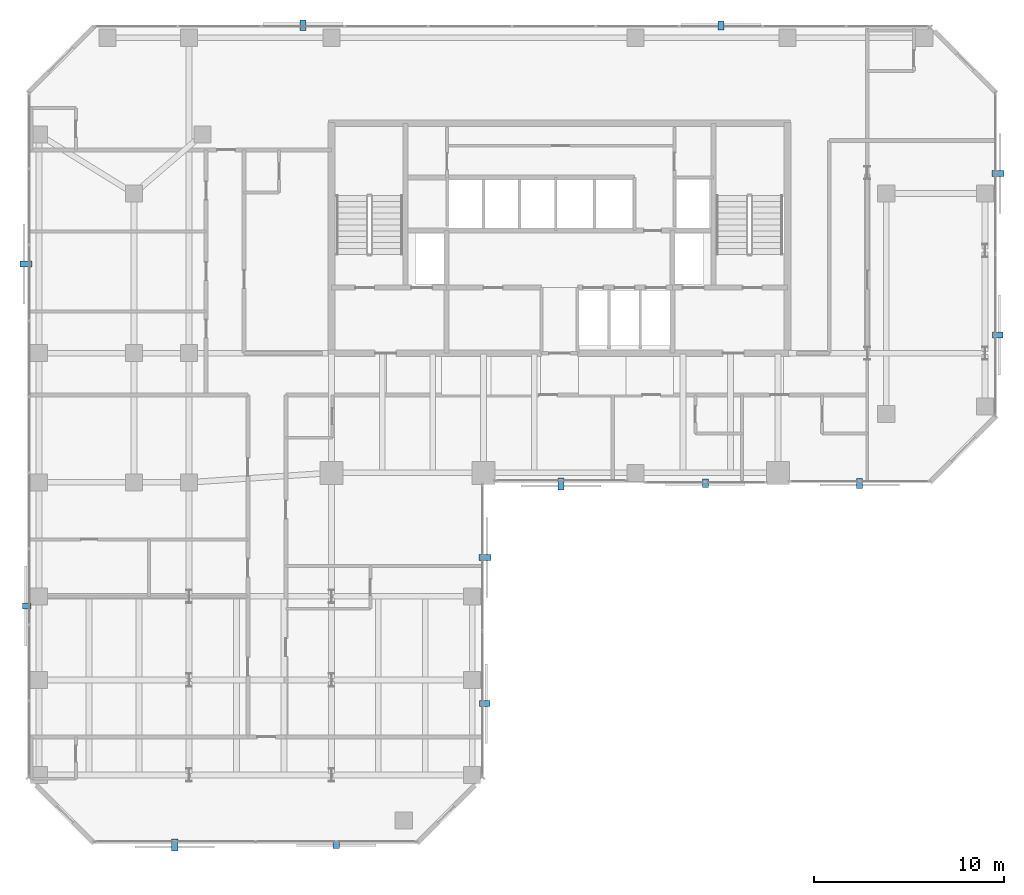
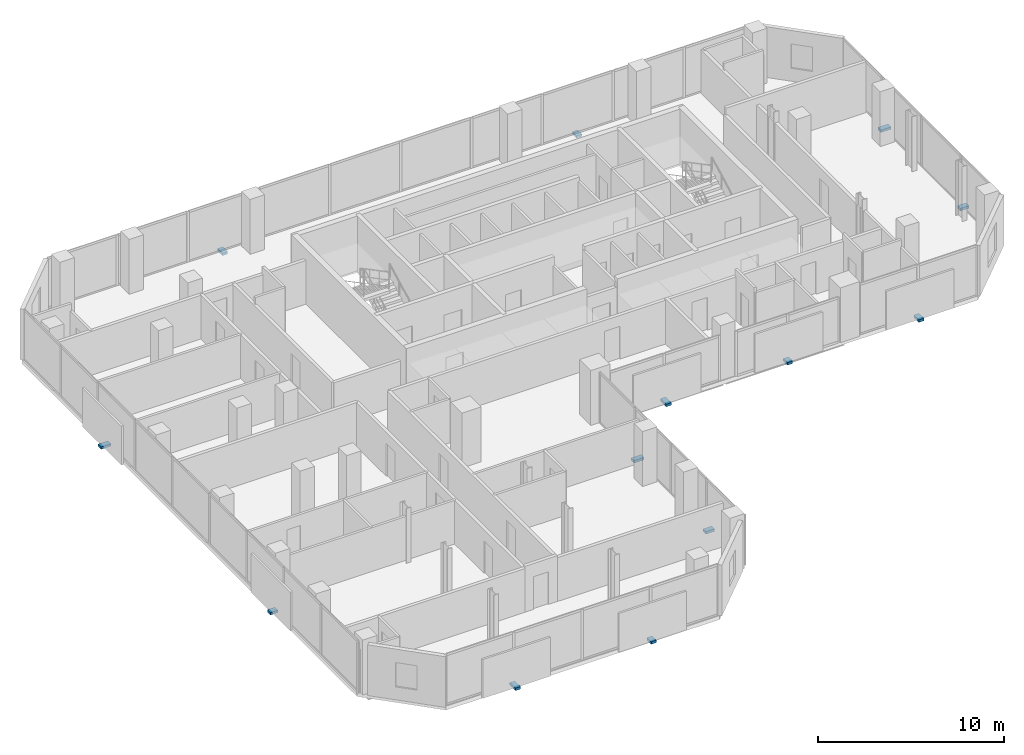
# One storey, part 32 of 34: 13 discrete accessories.
"""IFC4 building model written with IfcOpenShell, lengths in metres."""

from ifc_helpers import new_model, si_unit, direction, frame, origin, origin_2d, place, context, subcontext, project, spatial, rectangle, extrude, material, type_object, element, save


model = new_model("IFC4")

# Units and contexts
model_context = context("Model", 3, precision=1e-05, world=origin(), true_north=direction((0.0, 1.0)))
body_context = subcontext(model_context, "Body", "Model", "MODEL_VIEW")
ifc_project = project(units=[si_unit("LENGTHUNIT", "METRE"), si_unit("AREAUNIT", "SQUARE_METRE"), si_unit("VOLUMEUNIT", "CUBIC_METRE"), si_unit("PLANEANGLEUNIT", "RADIAN"), si_unit("MASSUNIT", "GRAM", prefix="KILO")], contexts=[model_context])

# Site, building, storey
site_placement = place(None, origin())
site = spatial("IfcSite", under=ifc_project, at=site_placement, CompositionType="ELEMENT")
building_placement = place(site_placement, origin())
building = spatial("IfcBuilding", under=site, at=building_placement, Name="Catumbela Crestline Tower", CompositionType="ELEMENT")
storey_placement = place(building_placement, frame((0.0, 0.0, 111.6)))
storey = spatial("IfcBuildingStorey", under=building, at=storey_placement, Name="L28", CompositionType="ELEMENT", Elevation=111.6)

# Discrete accessories
ifc_material = material(Name="Stainless steel EN 1.4401", Category="steel")
discrete_accessory_type = type_object("IfcDiscreteAccessoryType", Name="BK-SS1", PredefinedType="BRACKET", material=ifc_material)
discrete_accessory_1_placement = place(storey_placement, frame((7.75, 4.915, -0.18), z_axis=(0.0, 0.0, 1.0), x_axis=(1.0, 0.0, 0.0)))
element("IfcDiscreteAccessory", 1, at=discrete_accessory_1_placement, inside=storey, type_object=discrete_accessory_type, Name="L28 Solar Screen Stainless Bracket 289", PredefinedType="BRACKET", context=body_context, shape_type="SweptSolid", body=[
    extrude(rectangle(XDim=0.32, YDim=0.62, at=origin_2d()), origin(), (0.0, 0.0, 1.0), 0.16),
])
discrete_accessory_2_placement = place(storey_placement, frame((16.25, 4.955, -0.18), z_axis=(0.0, 0.0, 1.0), x_axis=(1.0, 0.0, 0.0)))
element("IfcDiscreteAccessory", 2, at=discrete_accessory_2_placement, inside=storey, type_object=discrete_accessory_type, Name="L28 Solar Screen Stainless Bracket 290", PredefinedType="BRACKET", context=body_context, shape_type="SweptSolid", body=[
    extrude(rectangle(XDim=0.32, YDim=0.46, at=origin_2d()), origin(), (0.0, 0.0, 1.0), 0.16),
])
discrete_accessory_3_placement = place(storey_placement, frame((24.065, 12.35, -0.18), z_axis=(0.0, 0.0, 1.0), x_axis=(0.0, 1.0, 0.0)))
element("IfcDiscreteAccessory", 3, at=discrete_accessory_3_placement, inside=storey, type_object=discrete_accessory_type, Name="L28 Solar Screen Stainless Bracket 291", PredefinedType="BRACKET", context=body_context, shape_type="SweptSolid", body=[
    extrude(rectangle(XDim=0.32, YDim=0.54, at=origin_2d()), origin(), (0.0, 0.0, 1.0), 0.16),
])
for number, where, z_axis, x_axis, name in (
    (4, (24.085, 20.05, -0.18), (0.0, 0.0, 1.0), (0.0, 1.0, 0.0), "L28 Solar Screen Stainless Bracket 292"),
    (5, (28.075, 23.915, -0.18), (0.0, 0.0, 1.0), (1.0, 0.0, 0.0), "L28 Solar Screen Stainless Bracket 293"),
):
    element("IfcDiscreteAccessory", number, at=place(storey_placement, frame(where, z_axis=z_axis, x_axis=x_axis)), inside=storey, type_object=discrete_accessory_type, Name=name, PredefinedType="BRACKET", context=body_context, shape_type="SweptSolid", body=[
        extrude(rectangle(XDim=0.32, YDim=0.62, at=origin_2d()), origin(), (0.0, 0.0, 1.0), 0.16),
    ])
discrete_accessory_4_placement = place(storey_placement, frame((35.675, 23.955, -0.18), z_axis=(0.0, 0.0, 1.0), x_axis=(1.0, 0.0, 0.0)))
element("IfcDiscreteAccessory", 6, at=discrete_accessory_4_placement, inside=storey, type_object=discrete_accessory_type, Name="L28 Solar Screen Stainless Bracket 294", PredefinedType="BRACKET", context=body_context, shape_type="SweptSolid", body=[
    extrude(rectangle(XDim=0.32, YDim=0.46, at=origin_2d()), origin(), (0.0, 0.0, 1.0), 0.16),
])
for number, where, z_axis, x_axis, name in (
    (7, (43.8, 23.935, -0.18), (0.0, 0.0, 1.0), (1.0, 0.0, 0.0), "L28 Solar Screen Stainless Bracket 295"),
    (8, (51.065, 31.75, -0.18), (0.0, 0.0, 1.0), (0.0, 1.0, 0.0), "L28 Solar Screen Stainless Bracket 296"),
):
    element("IfcDiscreteAccessory", number, at=place(storey_placement, frame(where, z_axis=z_axis, x_axis=x_axis)), inside=storey, type_object=discrete_accessory_type, Name=name, PredefinedType="BRACKET", context=body_context, shape_type="SweptSolid", body=[
        extrude(rectangle(XDim=0.32, YDim=0.54, at=origin_2d()), origin(), (0.0, 0.0, 1.0), 0.16),
    ])
discrete_accessory_5_placement = place(storey_placement, frame((51.085, 40.25, -0.18), z_axis=(0.0, 0.0, 1.0), x_axis=(0.0, 1.0, 0.0)))
element("IfcDiscreteAccessory", 9, at=discrete_accessory_5_placement, inside=storey, type_object=discrete_accessory_type, Name="L28 Solar Screen Stainless Bracket 297", PredefinedType="BRACKET", context=body_context, shape_type="SweptSolid", body=[
    extrude(rectangle(XDim=0.32, YDim=0.62, at=origin_2d()), origin(), (0.0, 0.0, 1.0), 0.16),
])
discrete_accessory_6_placement = place(storey_placement, frame((36.5, 48.045, -0.18), z_axis=(0.0, 0.0, 1.0), x_axis=(-1.0, 0.0, 0.0)))
element("IfcDiscreteAccessory", 10, at=discrete_accessory_6_placement, inside=storey, type_object=discrete_accessory_type, Name="L28 Solar Screen Stainless Bracket 298", PredefinedType="BRACKET", context=body_context, shape_type="SweptSolid", body=[
    extrude(rectangle(XDim=0.32, YDim=0.46, at=origin_2d()), origin(), (0.0, 0.0, 1.0), 0.16),
])
discrete_accessory_7_placement = place(storey_placement, frame((14.5, 48.065, -0.18), z_axis=(0.0, 0.0, 1.0), x_axis=(-1.0, 0.0, 0.0)))
element("IfcDiscreteAccessory", 11, at=discrete_accessory_7_placement, inside=storey, type_object=discrete_accessory_type, Name="L28 Solar Screen Stainless Bracket 299", PredefinedType="BRACKET", context=body_context, shape_type="SweptSolid", body=[
    extrude(rectangle(XDim=0.32, YDim=0.54, at=origin_2d()), origin(), (0.0, 0.0, 1.0), 0.16),
])
discrete_accessory_8_placement = place(storey_placement, frame((-0.085, 35.5, -0.18), z_axis=(0.0, 0.0, 1.0), x_axis=(0.0, -1.0, 0.0)))
element("IfcDiscreteAccessory", 12, at=discrete_accessory_8_placement, inside=storey, type_object=discrete_accessory_type, Name="L28 Solar Screen Stainless Bracket 300", PredefinedType="BRACKET", context=body_context, shape_type="SweptSolid", body=[
    extrude(rectangle(XDim=0.32, YDim=0.62, at=origin_2d()), origin(), (0.0, 0.0, 1.0), 0.16),
])
discrete_accessory_9_placement = place(storey_placement, frame((-0.045, 17.5, -0.18), z_axis=(0.0, 0.0, 1.0), x_axis=(0.0, -1.0, 0.0)))
element("IfcDiscreteAccessory", 13, at=discrete_accessory_9_placement, inside=storey, type_object=discrete_accessory_type, Name="L28 Solar Screen Stainless Bracket 301", PredefinedType="BRACKET", context=body_context, shape_type="SweptSolid", body=[
    extrude(rectangle(XDim=0.32, YDim=0.46, at=origin_2d()), origin(), (0.0, 0.0, 1.0), 0.16),
])

save(model, "model.ifc")
